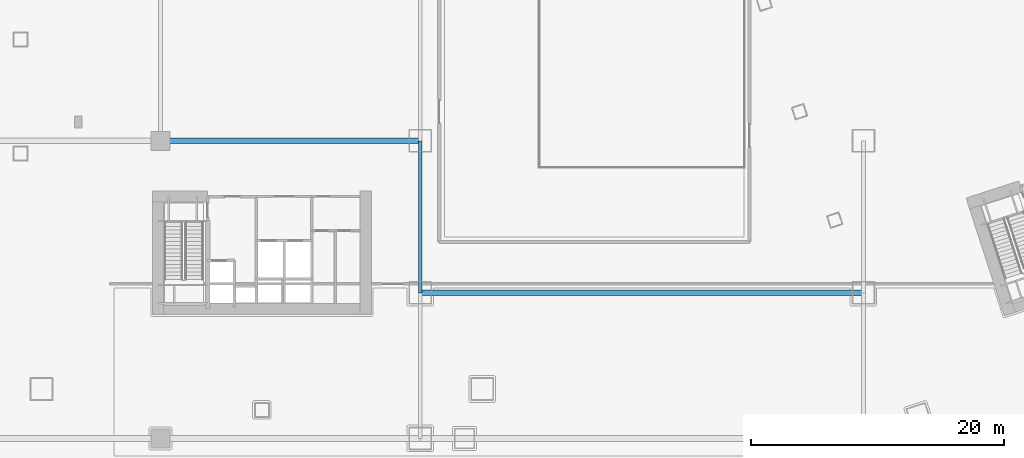
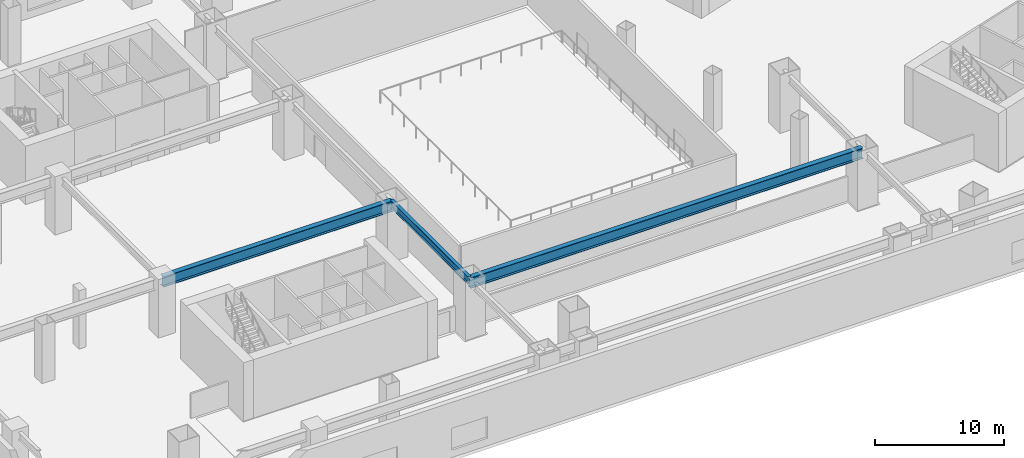
# One storey, part 9 of 35: 3 beams.
"""IFC4 building model written with IfcOpenShell, lengths in metres."""

from ifc_helpers import new_model, si_unit, direction, frame, origin, origin_2d, place, context, subcontext, project, spatial, i_section, extrude, material, material_profile, profile_set, type_object, element, save


model = new_model("IFC4")

# Units and contexts
model_context = context("Model", 3, precision=1e-05, world=origin(), true_north=direction((0.0, 1.0)))
body_context = subcontext(model_context, "Body", "Model", "MODEL_VIEW")
ifc_project = project(units=[si_unit("LENGTHUNIT", "METRE"), si_unit("AREAUNIT", "SQUARE_METRE"), si_unit("VOLUMEUNIT", "CUBIC_METRE"), si_unit("PLANEANGLEUNIT", "RADIAN"), si_unit("MASSUNIT", "GRAM", prefix="KILO")], contexts=[model_context])

# Site, building, storey
site_placement = place(None, origin())
site = spatial("IfcSite", under=ifc_project, at=site_placement, CompositionType="ELEMENT")
building_placement = place(site_placement, origin())
building = spatial("IfcBuilding", under=site, at=building_placement, Name="Qiaolan Cultural Towers", CompositionType="ELEMENT")
storey_placement = place(building_placement, frame((0.0, 0.0, 6.0)))
storey = spatial("IfcBuildingStorey", under=building, at=storey_placement, Name="L01", CompositionType="ELEMENT", Elevation=6.0)

# Beams
ifc_material_1 = material(Name="Steel Q390GJB", Category="steel")
ifc_material_profile_1 = material_profile(ifc_material_1, i_section(OverallWidth=0.449951171875, OverallDepth=1.0, WebThickness=0.02392578125, FlangeThickness=0.0400390625, at=origin_2d()), Name="BH1000x450x24x40")
ifc_profile_set_1 = profile_set([ifc_material_profile_1], Name="Steel Q390GJB")
beam_type_1 = type_object("IfcBeamType", Name="BM-BH1000x450x24x40", PredefinedType="BEAM", material=ifc_profile_set_1)
beam_1_placement = place(storey_placement, frame((42.5, 14.0, 4.699951171875), z_axis=(1.0, 0.0, 0.0), x_axis=(0.0, 1.0, 0.0)))
element("IfcBeam", 1, at=beam_1_placement, inside=storey, type_object=beam_type_1, Name="L01 Podium Primary Girder Y=14.0", PredefinedType="BEAM", context=body_context, shape_type="SweptSolid", body=[
    extrude(i_section(OverallWidth=0.449951171875, OverallDepth=1.0, WebThickness=0.02392578125, FlangeThickness=0.0400390625, at=origin_2d()), origin(), (0.0, 0.0, 1.0), 35.0),
])
beam_2_placement = place(storey_placement, frame((22.0, 26.0, 4.699951171875), z_axis=(1.0, 0.0, 0.0), x_axis=(0.0, 1.0, 0.0)))
element("IfcBeam", 2, at=beam_2_placement, inside=storey, type_object=beam_type_1, Name="L01 Podium Primary Girder Y=26.0", PredefinedType="BEAM", context=body_context, shape_type="SweptSolid", body=[
    extrude(i_section(OverallWidth=0.449951171875, OverallDepth=1.0, WebThickness=0.02392578125, FlangeThickness=0.0400390625, at=origin_2d()), origin(), (0.0, 0.0, 1.0), 20.5),
])
ifc_material_2 = material(Name="Steel Q355B", Category="steel")
ifc_material_profile_2 = material_profile(ifc_material_2, i_section(OverallWidth=0.300048828125, OverallDepth=0.699951171875, WebThickness=0.012939453125, FlangeThickness=0.02392578125, at=origin_2d()), Name="HN700x300x13x24")
ifc_profile_set_2 = profile_set([ifc_material_profile_2], Name="Steel Q355B")
beam_type_2 = type_object("IfcBeamType", Name="BM-HN700x300x13x24", PredefinedType="BEAM", material=ifc_profile_set_2)
beam_3_placement = place(storey_placement, frame((42.5, 14.0, 4.85009765625), z_axis=(0.0, 1.0, 0.0), x_axis=(-1.0, 0.0, 0.0)))
element("IfcBeam", 3, at=beam_3_placement, inside=storey, type_object=beam_type_2, Name="L01 Podium Transverse Beam X=42.5", PredefinedType="BEAM", context=body_context, shape_type="SweptSolid", body=[
    extrude(i_section(OverallWidth=0.300048828125, OverallDepth=0.699951171875, WebThickness=0.012939453125, FlangeThickness=0.02392578125, at=origin_2d()), origin(), (0.0, 0.0, 1.0), 12.0),
])

save(model, "model.ifc")
